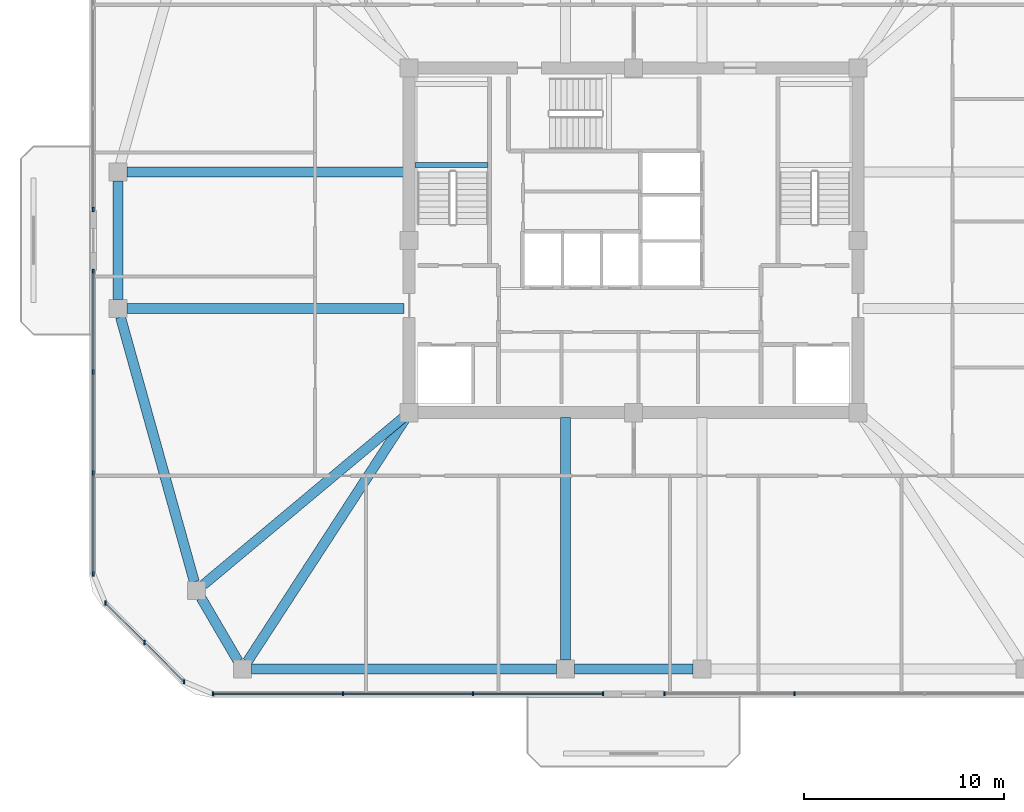
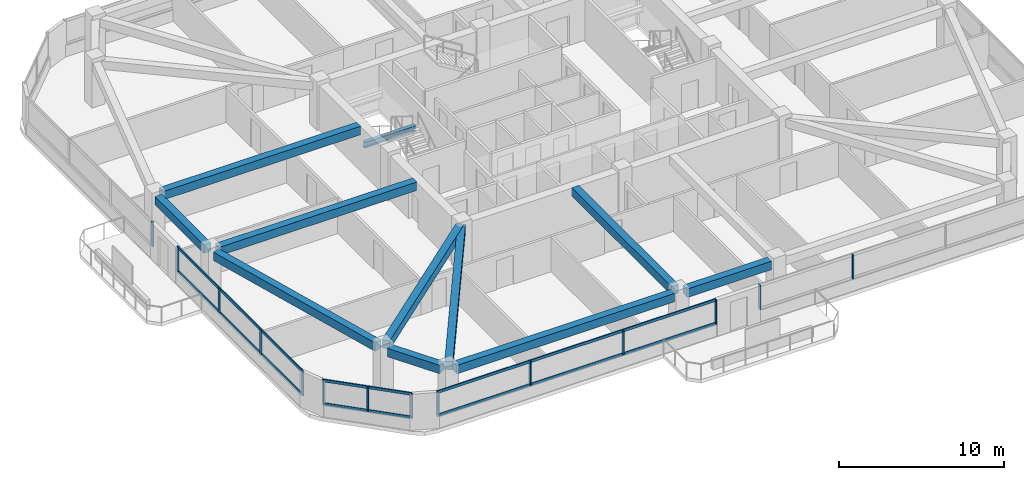
# One storey, part 2 of 13: 20 members, 11 beams, 5 elements without a shape of their own.
"""IFC4 building model written with IfcOpenShell, lengths in metres."""

from ifc_helpers import new_model, si_unit, derived_unit, direction, frame, origin, origin_2d, place, context, subcontext, project, spatial, rectangle, i_section, extrude, material, material_profile, profile_set, type_object, element, aggregate, save


model = new_model("IFC4")

# Units and contexts
model_context = context("Model", 3, precision=1e-05, world=origin(), true_north=direction((0.0, 1.0)))
body_context = subcontext(model_context, "Body", "Model", "MODEL_VIEW")
ifc_project = project(units=[si_unit("LENGTHUNIT", "METRE"), si_unit("AREAUNIT", "SQUARE_METRE"), si_unit("VOLUMEUNIT", "CUBIC_METRE"), si_unit("PLANEANGLEUNIT", "RADIAN"), si_unit("MASSUNIT", "GRAM", prefix="KILO"), derived_unit("THERMALTRANSMITTANCEUNIT", [(si_unit("POWERUNIT", "WATT"), 1), (si_unit("LENGTHUNIT", "METRE"), -2), (si_unit("THERMODYNAMICTEMPERATUREUNIT", "KELVIN"), -1)])], contexts=[model_context])

# Site, building, storey
site_placement = place(None, origin())
site = spatial("IfcSite", under=ifc_project, at=site_placement, CompositionType="ELEMENT")
building_placement = place(site_placement, origin())
building = spatial("IfcBuilding", under=site, at=building_placement, Name="Koralith Skygarden Medical Center", CompositionType="ELEMENT")
storey_placement = place(building_placement, frame((0.0, 0.0, 228.780029296875)))
storey = spatial("IfcBuildingStorey", under=building, at=storey_placement, Name="L59", CompositionType="ELEMENT", Elevation=228.780029296875)

# Curtain wall, members
ifc_material_1 = material(Name="Clear Laminated Glass", Category="glass")
curtain_wall_type = type_object("IfcCurtainWallType", Name="CW-5 Zone 4 Flare Biophilic Curtain Wall", PredefinedType="NOTDEFINED", material=ifc_material_1)
curtain_wall_1_placement = place(storey_placement, origin())
curtain_wall_1 = element("IfcCurtainWall", 1, at=curtain_wall_1_placement, inside=storey, type_object=curtain_wall_type, Name="Curtain Wall CW-L59-S-L", PredefinedType="NOTDEFINED")
ifc_material_2 = material(Name="Aluminium 6063-T6", Category="aluminium")
ifc_material_profile_1 = material_profile(ifc_material_2, rectangle(XDim=0.080078125, YDim=0.219970703125, at=origin_2d()), Name="MUL80X220")
ifc_profile_set_1 = profile_set([ifc_material_profile_1], Name="Aluminium 6063-T6")
member_type_1 = type_object("IfcMemberType", Name="CW-5 Extruded Mullion 80x220", PredefinedType="MULLION", material=ifc_profile_set_1)
member_1_placement = place(storey_placement, frame((16.012939453125, 3.280029296875, 0.849853515625), z_axis=(0.0, 0.0, 1.0), x_axis=(1.0, 0.0, 0.0)))
member_1 = element("IfcMember", 2, at=member_1_placement, type_object=member_type_1, Name="CW-L59-S-L Mullion 1", PredefinedType="MULLION", context=body_context, shape_type="SweptSolid", body=[
    extrude(rectangle(XDim=0.080078125, YDim=0.219970703125, at=origin_2d()), origin(), (0.0, 0.0, 1.0), 1.820068359375),
])
member_2_placement = place(storey_placement, frame((22.4951171875, 3.280029296875, 0.849853515625), z_axis=(0.0, 0.0, 1.0), x_axis=(1.0, 0.0, 0.0)))
member_2 = element("IfcMember", 3, at=member_2_placement, type_object=member_type_1, Name="CW-L59-S-L Mullion 2", PredefinedType="MULLION", context=body_context, shape_type="SweptSolid", body=[
    extrude(rectangle(XDim=0.080078125, YDim=0.219970703125, at=origin_2d()), origin(), (0.0, 0.0, 1.0), 1.820068359375),
])
member_3_placement = place(storey_placement, frame((28.97705078125, 3.280029296875, 0.849853515625), z_axis=(0.0, 0.0, 1.0), x_axis=(1.0, 0.0, 0.0)))
member_3 = element("IfcMember", 4, at=member_3_placement, type_object=member_type_1, Name="CW-L59-S-L Mullion 3", PredefinedType="MULLION", context=body_context, shape_type="SweptSolid", body=[
    extrude(rectangle(XDim=0.080078125, YDim=0.219970703125, at=origin_2d()), origin(), (0.0, 0.0, 1.0), 1.820068359375),
])
member_4_placement = place(storey_placement, frame((35.458984375, 3.280029296875, 0.849853515625), z_axis=(0.0, 0.0, 1.0), x_axis=(1.0, 0.0, 0.0)))
member_4 = element("IfcMember", 5, at=member_4_placement, type_object=member_type_1, Name="CW-L59-S-L Mullion 4", PredefinedType="MULLION", context=body_context, shape_type="SweptSolid", body=[
    extrude(rectangle(XDim=0.080078125, YDim=0.219970703125, at=origin_2d()), origin(), (0.0, 0.0, 1.0), 1.820068359375),
])

curtain_wall_2_placement = place(storey_placement, origin())
curtain_wall_2 = element("IfcCurtainWall", 6, at=curtain_wall_2_placement, inside=storey, type_object=curtain_wall_type, Name="Curtain Wall CW-L59-S-R", PredefinedType="NOTDEFINED")
member_5_placement = place(storey_placement, frame((38.5390625, 3.280029296875, 0.849853515625), z_axis=(0.0, 0.0, 1.0), x_axis=(1.0, 0.0, 0.0)))
member_5 = element("IfcMember", 7, at=member_5_placement, type_object=member_type_1, Name="CW-L59-S-R Mullion 1", PredefinedType="MULLION", context=body_context, shape_type="SweptSolid", body=[
    extrude(rectangle(XDim=0.080078125, YDim=0.219970703125, at=origin_2d()), origin(), (0.0, 0.0, 1.0), 1.820068359375),
])
member_6_placement = place(storey_placement, frame((45.02197265625, 3.280029296875, 0.849853515625), z_axis=(0.0, 0.0, 1.0), x_axis=(1.0, 0.0, 0.0)))
member_6 = element("IfcMember", 8, at=member_6_placement, type_object=member_type_1, Name="CW-L59-S-R Mullion 2", PredefinedType="MULLION", context=body_context, shape_type="SweptSolid", body=[
    extrude(rectangle(XDim=0.080078125, YDim=0.219970703125, at=origin_2d()), origin(), (0.0, 0.0, 1.0), 1.820068359375),
])
aggregate(curtain_wall_2, [member_5, member_6])

# Curtain wall, member
curtain_wall_3_placement = place(storey_placement, origin())
curtain_wall_3 = element("IfcCurtainWall", 9, at=curtain_wall_3_placement, inside=storey, type_object=curtain_wall_type, Name="Curtain Wall CW-L59-W-L", PredefinedType="NOTDEFINED")
member_7_placement = place(storey_placement, frame((10.0380859375, 27.43994140625, 0.849853515625), z_axis=(0.0, 0.0, 1.0), x_axis=(1.0, 0.0, 0.0)))
member_7 = element("IfcMember", 10, at=member_7_placement, type_object=member_type_1, Name="CW-L59-W-L Mullion 4", PredefinedType="MULLION", context=body_context, shape_type="SweptSolid", body=[
    extrude(rectangle(XDim=0.080078125, YDim=0.219970703125, at=origin_2d()), origin(), (0.0, 0.0, 1.0), 1.820068359375),
])
aggregate(curtain_wall_3, [member_7])

# Curtain wall, members
curtain_wall_4_placement = place(storey_placement, origin())
curtain_wall_4 = element("IfcCurtainWall", 11, at=curtain_wall_4_placement, inside=storey, type_object=curtain_wall_type, Name="Curtain Wall CW-L59-W-R", PredefinedType="NOTDEFINED")
member_8_placement = place(storey_placement, frame((10.0380859375, 24.360107421875, 0.849853515625), z_axis=(0.0, 0.0, 1.0), x_axis=(1.0, 0.0, 0.0)))
member_8 = element("IfcMember", 12, at=member_8_placement, type_object=member_type_1, Name="CW-L59-W-R Mullion 1", PredefinedType="MULLION", context=body_context, shape_type="SweptSolid", body=[
    extrude(rectangle(XDim=0.080078125, YDim=0.219970703125, at=origin_2d()), origin(), (0.0, 0.0, 1.0), 1.820068359375),
])
member_9_placement = place(storey_placement, frame((10.0380859375, 19.324951171875, 0.849853515625), z_axis=(0.0, 0.0, 1.0), x_axis=(1.0, 0.0, 0.0)))
member_9 = element("IfcMember", 13, at=member_9_placement, type_object=member_type_1, Name="CW-L59-W-R Mullion 2", PredefinedType="MULLION", context=body_context, shape_type="SweptSolid", body=[
    extrude(rectangle(XDim=0.080078125, YDim=0.219970703125, at=origin_2d()), origin(), (0.0, 0.0, 1.0), 1.820068359375),
])
member_10_placement = place(storey_placement, frame((10.0380859375, 14.2900390625, 0.849853515625), z_axis=(0.0, 0.0, 1.0), x_axis=(1.0, 0.0, 0.0)))
member_10 = element("IfcMember", 14, at=member_10_placement, type_object=member_type_1, Name="CW-L59-W-R Mullion 3", PredefinedType="MULLION", context=body_context, shape_type="SweptSolid", body=[
    extrude(rectangle(XDim=0.080078125, YDim=0.219970703125, at=origin_2d()), origin(), (0.0, 0.0, 1.0), 1.820068359375),
])
member_11_placement = place(storey_placement, frame((10.0380859375, 9.2548828125, 0.849853515625), z_axis=(0.0, 0.0, 1.0), x_axis=(1.0, 0.0, 0.0)))
member_11 = element("IfcMember", 15, at=member_11_placement, type_object=member_type_1, Name="CW-L59-W-R Mullion 4", PredefinedType="MULLION", context=body_context, shape_type="SweptSolid", body=[
    extrude(rectangle(XDim=0.080078125, YDim=0.219970703125, at=origin_2d()), origin(), (0.0, 0.0, 1.0), 1.820068359375),
])

curtain_wall_5_placement = place(storey_placement, origin())
curtain_wall_5 = element("IfcCurtainWall", 16, at=curtain_wall_5_placement, inside=storey, type_object=curtain_wall_type, Name="Curtain Wall CW-L59-SW", PredefinedType="NOTDEFINED")
member_12_placement = place(storey_placement, frame((10.638916015625, 7.803955078125, 0.849853515625), z_axis=(0.0, 0.0, 1.0), x_axis=(1.0, 0.0, 0.0)))
member_12 = element("IfcMember", 17, at=member_12_placement, type_object=member_type_1, Name="CW-L59-SW Mullion 1", PredefinedType="MULLION", context=body_context, shape_type="SweptSolid", body=[
    extrude(rectangle(XDim=0.080078125, YDim=0.219970703125, at=origin_2d()), origin(), (0.0, 0.0, 1.0), 1.820068359375),
])
member_13_placement = place(storey_placement, frame((12.60107421875, 5.843017578125, 0.849853515625), z_axis=(0.0, 0.0, 1.0), x_axis=(1.0, 0.0, 0.0)))
member_13 = element("IfcMember", 18, at=member_13_placement, type_object=member_type_1, Name="CW-L59-SW Mullion 2", PredefinedType="MULLION", context=body_context, shape_type="SweptSolid", body=[
    extrude(rectangle(XDim=0.080078125, YDim=0.219970703125, at=origin_2d()), origin(), (0.0, 0.0, 1.0), 1.820068359375),
])
member_14_placement = place(storey_placement, frame((14.56201171875, 3.881103515625, 0.849853515625), z_axis=(0.0, 0.0, 1.0), x_axis=(1.0, 0.0, 0.0)))
member_14 = element("IfcMember", 19, at=member_14_placement, type_object=member_type_1, Name="CW-L59-SW Mullion 3", PredefinedType="MULLION", context=body_context, shape_type="SweptSolid", body=[
    extrude(rectangle(XDim=0.080078125, YDim=0.219970703125, at=origin_2d()), origin(), (0.0, 0.0, 1.0), 1.820068359375),
])

# Member
ifc_material_profile_2 = material_profile(ifc_material_2, rectangle(XDim=0.074951171875, YDim=0.197998046875, at=origin_2d()), Name="TRN75X198")
ifc_profile_set_2 = profile_set([ifc_material_profile_2], Name="Aluminium 6063-T6")
member_type_2 = type_object("IfcMemberType", Name="CW-5 Thermal Transom 75x198", PredefinedType="USERDEFINED", material=ifc_profile_set_2)
member_15_placement = place(storey_placement, frame((16.012939453125, 3.280029296875, 0.89990234375), z_axis=(1.0, 0.0, 0.0), x_axis=(0.0, 1.0, 0.0)))
member_15 = element("IfcMember", 20, at=member_15_placement, type_object=member_type_2, Name="CW-L59-S-L Transom 1", ObjectType="TRANSOM", PredefinedType="USERDEFINED", context=body_context, shape_type="SweptSolid", body=[
    extrude(rectangle(XDim=0.074951171875, YDim=0.197998046875, at=origin_2d()), origin(), (0.0, 0.0, 1.0), 19.446044921875),
])

member_16_placement = place(storey_placement, frame((16.012939453125, 3.280029296875, 2.619873046875), z_axis=(1.0, 0.0, 0.0), x_axis=(0.0, 1.0, 0.0)))
member_16 = element("IfcMember", 21, at=member_16_placement, type_object=member_type_2, Name="CW-L59-S-L Transom 2", ObjectType="TRANSOM", PredefinedType="USERDEFINED", context=body_context, shape_type="SweptSolid", body=[
    extrude(rectangle(XDim=0.074951171875, YDim=0.197998046875, at=origin_2d()), origin(), (0.0, 0.0, 1.0), 19.446044921875),
])

aggregate(curtain_wall_1, [member_1, member_2, member_3, member_4, member_15, member_16])

member_17_placement = place(storey_placement, frame((10.0380859375, 24.360107421875, 0.89990234375), z_axis=(0.0, -1.0, 0.0), x_axis=(1.0, 0.0, 0.0)))
member_17 = element("IfcMember", 22, at=member_17_placement, type_object=member_type_2, Name="CW-L59-W-R Transom 1", ObjectType="TRANSOM", PredefinedType="USERDEFINED", context=body_context, shape_type="SweptSolid", body=[
    extrude(rectangle(XDim=0.074951171875, YDim=0.197998046875, at=origin_2d()), origin(), (0.0, 0.0, 1.0), 15.105224609375),
])

member_18_placement = place(storey_placement, frame((10.0380859375, 24.360107421875, 2.619873046875), z_axis=(0.0, -1.0, 0.0), x_axis=(1.0, 0.0, 0.0)))
member_18 = element("IfcMember", 23, at=member_18_placement, type_object=member_type_2, Name="CW-L59-W-R Transom 2", ObjectType="TRANSOM", PredefinedType="USERDEFINED", context=body_context, shape_type="SweptSolid", body=[
    extrude(rectangle(XDim=0.074951171875, YDim=0.197998046875, at=origin_2d()), origin(), (0.0, 0.0, 1.0), 15.105224609375),
])

aggregate(curtain_wall_4, [member_8, member_9, member_10, member_11, member_17, member_18])

member_19_placement = place(storey_placement, frame((10.638916015625, 7.803955078125, 0.89990234375), z_axis=(0.707128783731, -0.707084777957, 0.0), x_axis=(0.707084777957, 0.707128783731, 0.0)))
member_19 = element("IfcMember", 24, at=member_19_placement, type_object=member_type_2, Name="CW-L59-SW Transom 1", ObjectType="TRANSOM", PredefinedType="USERDEFINED", context=body_context, shape_type="SweptSolid", body=[
    extrude(rectangle(XDim=0.074951171875, YDim=0.197998046875, at=origin_2d()), origin(), (0.0, 0.0, 1.0), 5.5478515625),
])

member_20_placement = place(storey_placement, frame((10.638916015625, 7.803955078125, 2.619873046875), z_axis=(0.707128783731, -0.707084777957, 0.0), x_axis=(0.707084777957, 0.707128783731, 0.0)))
member_20 = element("IfcMember", 25, at=member_20_placement, type_object=member_type_2, Name="CW-L59-SW Transom 2", ObjectType="TRANSOM", PredefinedType="USERDEFINED", context=body_context, shape_type="SweptSolid", body=[
    extrude(rectangle(XDim=0.074951171875, YDim=0.197998046875, at=origin_2d()), origin(), (0.0, 0.0, 1.0), 5.5478515625),
])

aggregate(curtain_wall_5, [member_12, member_13, member_14, member_19, member_20])

# Beams
ifc_material_3 = material(Name="Steel ASTM A992 Grade 50", Category="steel")
ifc_material_profile_3 = material_profile(ifc_material_3, i_section(OverallWidth=0.260009765625, OverallDepth=0.4150390625, WebThickness=0.010009765625, FlangeThickness=0.016845703125, at=origin_2d()), Name="W16X67")
ifc_profile_set_3 = profile_set([ifc_material_profile_3], Name="Steel ASTM A992 Grade 50")
beam_type_1 = type_object("IfcBeamType", Name="Clinical Floor Joist W16X67", PredefinedType="JOIST", material=ifc_profile_set_3)
beam_1_placement = place(storey_placement, frame((26.080078125, 29.659912109375, 1.39306640625), z_axis=(1.0, 0.0, 0.0), x_axis=(0.0, 1.0, 0.0)))
element("IfcBeam", 26, at=beam_1_placement, inside=storey, type_object=beam_type_1, Name="L59 Stair ST1 Half-Landing Support Beam 1A", PredefinedType="JOIST", context=body_context, shape_type="SweptSolid", body=[
    extrude(i_section(OverallWidth=0.260009765625, OverallDepth=0.4150390625, WebThickness=0.010009765625, FlangeThickness=0.016845703125, at=origin_2d()), origin(), (0.0, 0.0, 1.0), 3.639892578125),
])
ifc_material_4 = material(Name="Concrete C45/55", Category="concrete")
ifc_material_profile_4 = material_profile(ifc_material_4, rectangle(XDim=0.5, YDim=0.6201171875, at=origin_2d()), Name="RCB500X620")
ifc_profile_set_4 = profile_set([ifc_material_profile_4], Name="Concrete C45/55")
beam_type_2 = type_object("IfcBeamType", Name="Upper Radial Collector Beam RCB500X620", PredefinedType="BEAM", material=ifc_profile_set_4)
beam_2_placement = place(storey_placement, frame((25.550048828125, 22.5, 2.989990234375), z_axis=(-1.0, 0.0, 0.0), x_axis=(0.0, -1.0, 0.0)))
element("IfcBeam", 27, at=beam_2_placement, inside=storey, type_object=beam_type_2, Name="L59 Radial Collector Beam RB-01", PredefinedType="BEAM", context=body_context, shape_type="SweptSolid", body=[
    extrude(rectangle(XDim=0.5, YDim=0.6201171875, at=origin_2d()), origin(), (0.0, 0.0, 1.0), 13.83203125),
])
beam_3_placement = place(storey_placement, frame((25.60791015625, 17.139892578125, 2.989990234375), z_axis=(-0.767298159165, -0.64129052304, 0.0), x_axis=(0.64129052304, -0.767298159165, 0.0)))
element("IfcBeam", 28, at=beam_3_placement, inside=storey, type_object=beam_type_2, Name="L59 Radial Collector Beam RB-02", PredefinedType="BEAM", context=body_context, shape_type="SweptSolid", body=[
    extrude(rectangle(XDim=0.5, YDim=0.6201171875, at=origin_2d()), origin(), (0.0, 0.0, 1.0), 13.126708984375),
])
beam_4_placement = place(storey_placement, frame((25.6640625, 17.090087890625, 2.989990234375), z_axis=(-0.5451487187, -0.838339355214, 0.0), x_axis=(0.838339355214, -0.5451487187, 0.0)))
element("IfcBeam", 29, at=beam_4_placement, inside=storey, type_object=beam_type_2, Name="L59 Radial Collector Beam RB-03", PredefinedType="BEAM", context=body_context, shape_type="SweptSolid", body=[
    extrude(rectangle(XDim=0.5, YDim=0.6201171875, at=origin_2d()), origin(), (0.0, 0.0, 1.0), 14.553955078125),
])
beam_5_placement = place(storey_placement, frame((33.60009765625, 17.050048828125, 2.989990234375), z_axis=(0.0, -1.0, 0.0), x_axis=(1.0, 0.0, 0.0)))
element("IfcBeam", 30, at=beam_5_placement, inside=storey, type_object=beam_type_2, Name="L59 Radial Collector Beam RB-04", PredefinedType="BEAM", context=body_context, shape_type="SweptSolid", body=[
    extrude(rectangle(XDim=0.5, YDim=0.6201171875, at=origin_2d()), origin(), (0.0, 0.0, 1.0), 12.090087890625),
])
beam_6_placement = place(storey_placement, frame((25.550048828125, 29.300048828125, 2.989990234375), z_axis=(-1.0, 0.0, 0.0), x_axis=(0.0, -1.0, 0.0)))
element("IfcBeam", 31, at=beam_6_placement, inside=storey, type_object=beam_type_2, Name="L59 Radial Collector Beam RB-16", PredefinedType="BEAM", context=body_context, shape_type="SweptSolid", body=[
    extrude(rectangle(XDim=0.5, YDim=0.6201171875, at=origin_2d()), origin(), (0.0, 0.0, 1.0), 13.83203125),
])
ifc_material_profile_5 = material_profile(ifc_material_4, rectangle(XDim=0.5, YDim=0.6201171875, at=origin_2d()), Name="RCB500X620")
ifc_profile_set_5 = profile_set([ifc_material_profile_5], Name="Concrete C45/55")
beam_type_3 = type_object("IfcBeamType", Name="Zone 4-5 Spandrel Beam RCB500X620", PredefinedType="SPANDREL", material=ifc_profile_set_5)
beam_7_placement = place(storey_placement, frame((11.39599609375, 22.075927734375, 2.989990234375), z_axis=(0.26859849356, -0.96325222515, 0.0), x_axis=(0.96325222515, 0.26859849356, 0.0)))
element("IfcBeam", 32, at=beam_7_placement, inside=storey, type_object=beam_type_3, Name="L59 Perimeter Spandrel Beam SP-01", PredefinedType="SPANDREL", context=body_context, shape_type="SweptSolid", body=[
    extrude(rectangle(XDim=0.5, YDim=0.6201171875, at=origin_2d()), origin(), (0.0, 0.0, 1.0), 13.716064453125),
])
beam_8_placement = place(storey_placement, frame((15.419921875, 8.06005859375, 2.989990234375), z_axis=(0.504832687441, -0.863217213505, 0.0), x_axis=(0.863217213505, 0.504832687441, 0.0)))
element("IfcBeam", 33, at=beam_8_placement, inside=storey, type_object=beam_type_3, Name="L59 Perimeter Spandrel Beam SP-02", PredefinedType="SPANDREL", context=body_context, shape_type="SweptSolid", body=[
    extrude(rectangle(XDim=0.5, YDim=0.6201171875, at=origin_2d()), origin(), (0.0, 0.0, 1.0), 3.660888671875),
])
beam_9_placement = place(storey_placement, frame((17.929931640625, 4.52001953125, 2.989990234375), z_axis=(1.0, 0.0, 0.0), x_axis=(0.0, 1.0, 0.0)))
element("IfcBeam", 34, at=beam_9_placement, inside=storey, type_object=beam_type_3, Name="L59 Perimeter Spandrel Beam SP-03", PredefinedType="SPANDREL", context=body_context, shape_type="SweptSolid", body=[
    extrude(rectangle(XDim=0.5, YDim=0.6201171875, at=origin_2d()), origin(), (0.0, 0.0, 1.0), 15.22998046875),
])
beam_10_placement = place(storey_placement, frame((34.0400390625, 4.52001953125, 2.989990234375), z_axis=(1.0, 0.0, 0.0), x_axis=(0.0, 1.0, 0.0)))
element("IfcBeam", 35, at=beam_10_placement, inside=storey, type_object=beam_type_3, Name="L59 Perimeter Spandrel Beam SP-04", PredefinedType="SPANDREL", context=body_context, shape_type="SweptSolid", body=[
    extrude(rectangle(XDim=0.5, YDim=0.6201171875, at=origin_2d()), origin(), (0.0, 0.0, 1.0), 5.919921875),
])
beam_11_placement = place(storey_placement, frame((11.278076171875, 28.860107421875, 2.989990234375), z_axis=(0.0, -1.0, 0.0), x_axis=(1.0, 0.0, 0.0)))
element("IfcBeam", 36, at=beam_11_placement, inside=storey, type_object=beam_type_3, Name="L59 Perimeter Spandrel Beam SP-16", PredefinedType="SPANDREL", context=body_context, shape_type="SweptSolid", body=[
    extrude(rectangle(XDim=0.5, YDim=0.6201171875, at=origin_2d()), origin(), (0.0, 0.0, 1.0), 5.920166015625),
])

save(model, "model.ifc")
